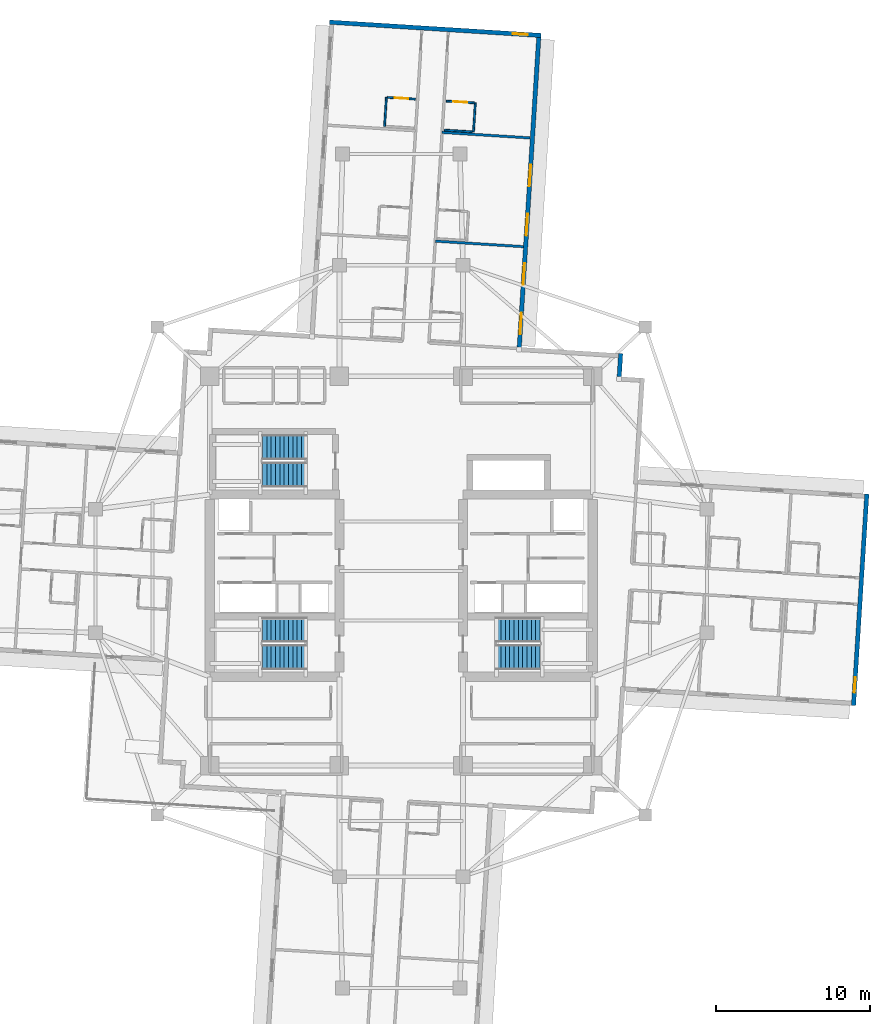
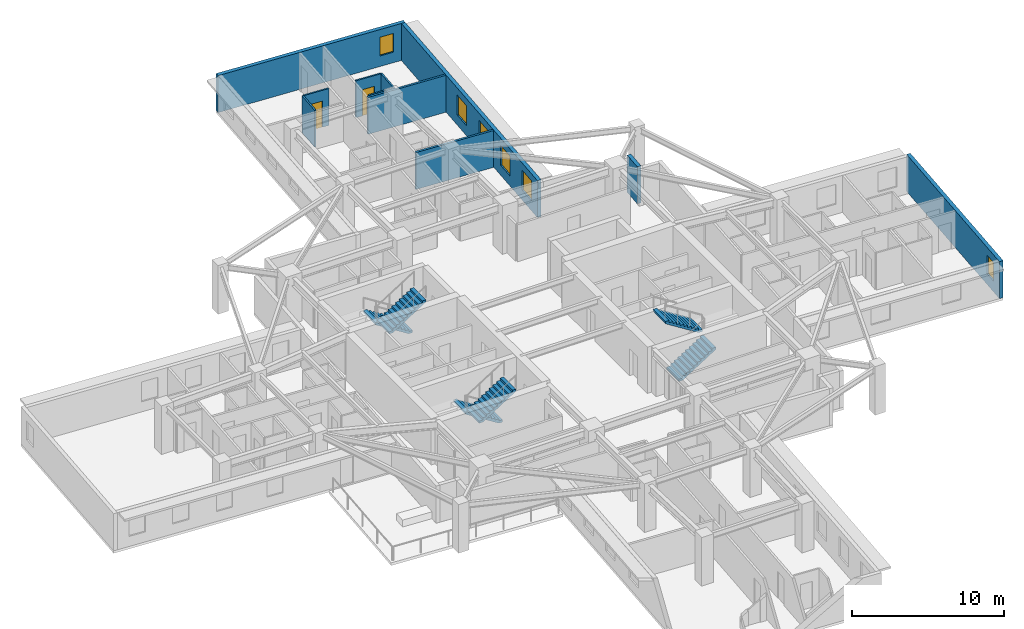
# One storey, part 9 of 14: 11 walls, 6 stair flights, 6 windows, 2 doors, 8 openings, 3 elements without a shape of their own.
"""IFC4 building model written with IfcOpenShell, lengths in metres."""

from ifc_helpers import new_model, si_unit, direction, frame, frame_2d, origin, place, context, subcontext, project, spatial, polyline, rectangle, outline, extrude, material, layer, layer_set, type_object, element, fill, aggregate, save


model = new_model("IFC4")

# Units and contexts
model_context = context("Model", 3, precision=1e-05, world=origin(), true_north=direction((0.0, 1.0)))
body_context = subcontext(model_context, "Body", "Model", "MODEL_VIEW")
ifc_project = project(units=[si_unit("LENGTHUNIT", "METRE"), si_unit("AREAUNIT", "SQUARE_METRE"), si_unit("VOLUMEUNIT", "CUBIC_METRE"), si_unit("PLANEANGLEUNIT", "RADIAN"), si_unit("MASSUNIT", "GRAM", prefix="KILO")], contexts=[model_context])

# Site, building, storey
site_placement = place(None, origin())
site = spatial("IfcSite", under=ifc_project, at=site_placement, CompositionType="ELEMENT")
building_placement = place(site_placement, origin())
building = spatial("IfcBuilding", under=site, at=building_placement, Name="Qingluan Cross Belvedere", CompositionType="ELEMENT")
storey_placement = place(building_placement, frame((0.0, 0.0, 160.5)))
storey = spatial("IfcBuildingStorey", under=building, at=storey_placement, Name="L40", CompositionType="ELEMENT", Elevation=160.5)

# Walls
ifc_material_1 = material(Name="Gypsum plasterboard on steel stud acoustic partition", Category="steel")
ifc_layer_1 = layer(ifc_material_1, 0.159912109375, Name="CorridorPartition_160")
ifc_layer_set_1 = layer_set([ifc_layer_1], Name="Gypsum plasterboard on steel stud acoustic partition")
wall_type_1 = type_object("IfcWallType", Name="CorridorPartition_160", PredefinedType="PARTITIONING", material=ifc_layer_set_1)
for number, where, z_axis, x_axis, name in (
    (1, (2.20556640625, 21.360595703125, 0.0), (0.0, 0.0, 1.0), (0.998026882386, -0.062788072387, 0.0), "Partition L40:N:d0_0"),
    (2, (2.648681640625, 28.401611328125, 0.0), (0.0, 0.0, 1.0), (0.998029559881, -0.062745498668, 0.0), "Partition L40:N:d0_1"),
):
    element("IfcWall", number, at=place(storey_placement, frame(where, z_axis=z_axis, x_axis=x_axis)), inside=storey, type_object=wall_type_1, Name=name, PredefinedType="PARTITIONING", context=body_context, shape_type="SweptSolid", body=[
        extrude(rectangle(XDim=5.7119140625, YDim=0.159912109375, at=frame_2d((2.85595703125, 0.0))), origin(), (0.0, 0.0, 1.0), 2.9599609375),
    ])

# Wall, opening, door
ifc_material_2 = material(Name="Moisture-resistant gypsum board lining")
ifc_layer_2 = layer(ifc_material_2, 0.1201171875, Name="EnsuiteWetPartition_120")
ifc_layer_set_2 = layer_set([ifc_layer_2], Name="Moisture-resistant gypsum board lining")
wall_type_2 = type_object("IfcWallType", Name="EnsuiteWetPartition_120", PredefinedType="PARTITIONING", material=ifc_layer_set_2)
wall_1_placement = place(storey_placement, frame((2.91650390625, 30.428955078125, 0.0), z_axis=(0.0, 0.0, 1.0), x_axis=(0.998027443946, -0.062779145668, 0.0)))
wall_1 = element("IfcWall", 3, at=wall_1_placement, inside=storey, type_object=wall_type_2, Name="Partition L40:N:bs0_2", PredefinedType="PARTITIONING", context=body_context, shape_type="SweptSolid", body=[
    extrude(rectangle(XDim=1.820068359375, YDim=0.1201171875, at=frame_2d((0.91015625, 0.0))), origin(), (0.0, 0.0, 1.0), 2.9599609375),
])
opening_1_placement = place(wall_1_placement, frame((0.469970703125, 0.0, 0.0)))
opening_1 = element("IfcOpeningElement", 4, at=opening_1_placement, cuts=wall_1, Name="Opening BD-09", PredefinedType="OPENING", context=body_context, shape_type="SweptSolid", body=[
    extrude(rectangle(XDim=0.8798828125, YDim=2.10009765625, at=frame_2d((0.43994140625, 1.050048828125))), frame((0.0, 0.070068359375, 0.0), z_axis=(0.0, -1.0, 0.0), x_axis=(1.0, 0.0, 0.0)), (0.0, 0.0, 1.0), 0.14013671875),
])
ifc_material_3 = material(Name="Moisture-sealed timber en-suite door", Category="wood")
door_type = type_object("IfcDoorType", Name="BathroomDoor_880", OperationType="NOTDEFINED", PredefinedType="DOOR", material=ifc_material_3)
door_1_placement = place(opening_1_placement, origin())
door_1 = element("IfcDoor", 5, at=door_1_placement, inside=storey, type_object=door_type, Name="Bathroom door 4013", OperationType="SINGLE_SWING_LEFT", OverallHeight=2.10009765625, OverallWidth=0.8798828125, PredefinedType="DOOR", context=body_context, shape_type="SweptSolid", body=[
    extrude(rectangle(XDim=0.8798828125, YDim=2.10009765625, at=frame_2d((0.43994140625, 1.050048828125))), frame((0.0, 0.02490234375, 0.0), z_axis=(0.0, -1.0, 0.0), x_axis=(1.0, 0.0, 0.0)), (0.0, 0.0, 1.0), 0.050048828125),
])
fill(opening_1, door_1)

# Walls
wall_2_placement = place(storey_placement, frame((2.79833984375, 28.552490234375, 0.0), z_axis=(0.0, 0.0, 1.0), x_axis=(0.998035839873, -0.062645529196, 0.0)))
element("IfcWall", 6, at=wall_2_placement, inside=storey, type_object=wall_type_2, Name="Partition L40:N:bw0_2", PredefinedType="PARTITIONING", context=body_context, shape_type="SweptSolid", body=[
    extrude(rectangle(XDim=1.820068359375, YDim=0.1201171875, at=frame_2d((0.91015625, 0.0))), origin(), (0.0, 0.0, 1.0), 2.9599609375),
])
wall_3_placement = place(storey_placement, frame((4.6796875, 28.434326171875, 0.0), z_axis=(0.0, 0.0, 1.0), x_axis=(0.062725942896, 0.998030789148, 0.0)))
element("IfcWall", 7, at=wall_3_placement, inside=storey, type_object=wall_type_2, Name="Partition L40:N:bn0_2", PredefinedType="PARTITIONING", context=body_context, shape_type="SweptSolid", body=[
    extrude(rectangle(XDim=1.8798828125, YDim=0.1201171875, at=frame_2d((0.93994140625, 0.0))), origin(), (0.0, 0.0, 1.0), 2.9599609375),
])

# Wall, opening, door
wall_4_placement = place(storey_placement, frame((-0.89599609375, 30.668701171875, 0.0), z_axis=(0.0, 0.0, 1.0), x_axis=(0.998027443946, -0.062779145668, 0.0)))
wall_4 = element("IfcWall", 8, at=wall_4_placement, inside=storey, type_object=wall_type_2, Name="Partition L40:N:bs1_2", PredefinedType="PARTITIONING", context=body_context, shape_type="SweptSolid", body=[
    extrude(rectangle(XDim=1.820068359375, YDim=0.1201171875, at=frame_2d((0.91015625, 0.0))), origin(), (0.0, 0.0, 1.0), 2.9599609375),
])
opening_2_placement = place(wall_4_placement, frame((0.469970703125, 0.0, 0.0)))
opening_2 = element("IfcOpeningElement", 9, at=opening_2_placement, cuts=wall_4, Name="Opening BD-09", PredefinedType="OPENING", context=body_context, shape_type="SweptSolid", body=[
    extrude(rectangle(XDim=0.8798828125, YDim=2.10009765625, at=frame_2d((0.43994140625, 1.050048828125))), frame((0.0, 0.070068359375, 0.0), z_axis=(0.0, -1.0, 0.0), x_axis=(1.0, 0.0, 0.0)), (0.0, 0.0, 1.0), 0.14013671875),
])
door_2_placement = place(opening_2_placement, origin())
door_2 = element("IfcDoor", 10, at=door_2_placement, inside=storey, type_object=door_type, Name="Bathroom door 4016", OperationType="SINGLE_SWING_LEFT", OverallHeight=2.10009765625, OverallWidth=0.8798828125, PredefinedType="DOOR", context=body_context, shape_type="SweptSolid", body=[
    extrude(rectangle(XDim=0.8798828125, YDim=2.10009765625, at=frame_2d((0.43994140625, 1.050048828125))), frame((0.0, 0.02490234375, 0.0), z_axis=(0.0, -1.0, 0.0), x_axis=(1.0, 0.0, 0.0)), (0.0, 0.0, 1.0), 0.050048828125),
])
fill(opening_2, door_2)

# Wall
wall_5_placement = place(storey_placement, frame((-1.0791015625, 28.796630859375, 0.0), z_axis=(0.0, 0.0, 1.0), x_axis=(0.062855297722, 0.998022650819, 0.0)))
element("IfcWall", 11, at=wall_5_placement, inside=storey, type_object=wall_type_2, Name="Partition L40:N:bc1_2", PredefinedType="PARTITIONING", context=body_context, shape_type="SweptSolid", body=[
    extrude(rectangle(XDim=1.8798828125, YDim=0.1201171875, at=frame_2d((0.93994140625, 0.0))), origin(), (0.0, 0.0, 1.0), 2.9599609375),
])

# Wall, opening, window
ifc_material_4 = material(Name="Precast concrete C45", Category="concrete")
ifc_layer_3 = layer(ifc_material_4, 0.280029296875, Name="PrecastFacadeWall_280")
ifc_layer_set_3 = layer_set([ifc_layer_3], Name="Precast concrete C45")
wall_type_3 = type_object("IfcWallType", Name="PrecastFacadeWall_280", PredefinedType="STANDARD", material=ifc_layer_set_3)
wall_6_placement = place(storey_placement, frame((29.29052734375, -8.71630859375, 0.0), z_axis=(0.0, 0.0, 1.0), x_axis=(0.062797041623, 0.998026318072, 0.0)))
wall_6 = element("IfcWall", 12, at=wall_6_placement, inside=storey, type_object=wall_type_3, Name="Arm tip precast facade wall L40-E", PredefinedType="STANDARD", context=body_context, shape_type="SweptSolid", body=[
    extrude(rectangle(XDim=13.719970703125, YDim=0.280029296875, at=frame_2d((6.85986328125, 0.0))), origin(), (0.0, 0.0, 1.0), 2.969970703125),
])
opening_3_placement = place(wall_6_placement, frame((0.85009765625, 0.0, 0.85009765625)))
opening_3 = element("IfcOpeningElement", 13, at=opening_3_placement, cuts=wall_6, Name="Opening W-03", PredefinedType="OPENING", context=body_context, shape_type="SweptSolid", body=[
    extrude(rectangle(XDim=1.0, YDim=1.5, at=frame_2d((0.5, 0.75))), frame((0.0, 0.14990234375, 0.0), z_axis=(0.0, -1.0, 0.0), x_axis=(1.0, 0.0, 0.0)), (0.0, 0.0, 1.0), 0.300048828125),
])
ifc_material_5 = material(Name="Thermally broken triple Low-E glass in aluminium frame", Category="aluminium")
window_type_1 = type_object("IfcWindowType", Name="TriApexWin_1000x1500", PartitioningType="SINGLE_PANEL", PredefinedType="WINDOW", material=ifc_material_5)
window_1_placement = place(opening_3_placement, origin())
window_1 = element("IfcWindow", 14, at=window_1_placement, inside=storey, type_object=window_type_1, Name="Arm tip triangular window L40-E", OverallHeight=1.5, OverallWidth=1.0, PartitioningType="SINGLE_PANEL", PredefinedType="WINDOW", context=body_context, shape_type="SweptSolid", body=[
    extrude(rectangle(XDim=1.0, YDim=1.5, at=frame_2d((0.5, 0.75))), frame((0.0, 0.030029296875, 0.0), z_axis=(0.0, -1.0, 0.0), x_axis=(1.0, 0.0, 0.0)), (0.0, 0.0, 1.0), 0.06005859375),
])
fill(opening_3, window_1)

# Wall, openings, windows
wall_7_placement = place(storey_placement, frame((7.644775390625, 14.488525390625, 0.0), z_axis=(0.0, 0.0, 1.0), x_axis=(0.06279645424, 0.99802635503, 0.0)))
wall_7 = element("IfcWall", 15, at=wall_7_placement, inside=storey, type_object=wall_type_3, Name="Facade wall L40-NA", PredefinedType="STANDARD", context=body_context, shape_type="SweptSolid", body=[
    extrude(rectangle(XDim=20.099853515625, YDim=0.280029296875, at=frame_2d((10.0498046875, 0.0))), origin(), (0.0, 0.0, 1.0), 2.969970703125),
])
opening_4_placement = place(wall_7_placement, frame((0.85009765625, 0.0, 0.800048828125)))
opening_4 = element("IfcOpeningElement", 16, at=opening_4_placement, cuts=wall_7, Name="Opening W-01", PredefinedType="OPENING", context=body_context, shape_type="SweptSolid", body=[
    extrude(rectangle(XDim=1.39990234375, YDim=1.60009765625, at=frame_2d((0.699951171875, 0.800048828125))), frame((0.0, 0.14990234375, 0.0), z_axis=(0.0, -1.0, 0.0), x_axis=(1.0, 0.0, 0.0)), (0.0, 0.0, 1.0), 0.300048828125),
])
opening_5_placement = place(wall_7_placement, frame((4.050048828125, 0.0, 0.800048828125)))
opening_5 = element("IfcOpeningElement", 17, at=opening_5_placement, cuts=wall_7, Name="Opening W-01", PredefinedType="OPENING", context=body_context, shape_type="SweptSolid", body=[
    extrude(rectangle(XDim=1.39990234375, YDim=1.60009765625, at=frame_2d((0.699951171875, 0.800048828125))), frame((0.0, 0.14990234375, 0.0), z_axis=(0.0, -1.0, 0.0), x_axis=(1.0, 0.0, 0.0)), (0.0, 0.0, 1.0), 0.300048828125),
])
opening_6_placement = place(wall_7_placement, frame((7.25, 0.0, 0.800048828125)))
opening_6 = element("IfcOpeningElement", 18, at=opening_6_placement, cuts=wall_7, Name="Opening W-01", PredefinedType="OPENING", context=body_context, shape_type="SweptSolid", body=[
    extrude(rectangle(XDim=1.39990234375, YDim=1.60009765625, at=frame_2d((0.699951171875, 0.800048828125))), frame((0.0, 0.14990234375, 0.0), z_axis=(0.0, -1.0, 0.0), x_axis=(1.0, 0.0, 0.0)), (0.0, 0.0, 1.0), 0.300048828125),
])
opening_7_placement = place(wall_7_placement, frame((10.449951171875, 0.0, 0.800048828125)))
opening_7 = element("IfcOpeningElement", 19, at=opening_7_placement, cuts=wall_7, Name="Opening W-01", PredefinedType="OPENING", context=body_context, shape_type="SweptSolid", body=[
    extrude(rectangle(XDim=1.39990234375, YDim=1.60009765625, at=frame_2d((0.699951171875, 0.800048828125))), frame((0.0, 0.14990234375, 0.0), z_axis=(0.0, -1.0, 0.0), x_axis=(1.0, 0.0, 0.0)), (0.0, 0.0, 1.0), 0.300048828125),
])
ifc_material_6 = material(Name="Thermally broken triple Low-E glass in aluminium frame", Category="aluminium")
window_type_2 = type_object("IfcWindowType", Name="TriRibbonWin_1400x1600", PartitioningType="SINGLE_PANEL", PredefinedType="WINDOW", material=ifc_material_6)
window_2_placement = place(opening_4_placement, origin())
window_2 = element("IfcWindow", 20, at=window_2_placement, inside=storey, type_object=window_type_2, Name="Ribbon window L40-NA-1", OverallHeight=1.60009765625, OverallWidth=1.39990234375, PartitioningType="SINGLE_PANEL", PredefinedType="WINDOW", context=body_context, shape_type="SweptSolid", body=[
    extrude(rectangle(XDim=1.39990234375, YDim=1.60009765625, at=frame_2d((0.699951171875, 0.800048828125))), frame((0.0, 0.030029296875, 0.0), z_axis=(0.0, -1.0, 0.0), x_axis=(1.0, 0.0, 0.0)), (0.0, 0.0, 1.0), 0.06005859375),
])
fill(opening_4, window_2)
window_3_placement = place(opening_5_placement, origin())
window_3 = element("IfcWindow", 21, at=window_3_placement, inside=storey, type_object=window_type_2, Name="Ribbon window L40-NA-2", OverallHeight=1.60009765625, OverallWidth=1.39990234375, PartitioningType="SINGLE_PANEL", PredefinedType="WINDOW", context=body_context, shape_type="SweptSolid", body=[
    extrude(rectangle(XDim=1.39990234375, YDim=1.60009765625, at=frame_2d((0.699951171875, 0.800048828125))), frame((0.0, 0.030029296875, 0.0), z_axis=(0.0, -1.0, 0.0), x_axis=(1.0, 0.0, 0.0)), (0.0, 0.0, 1.0), 0.06005859375),
])
fill(opening_5, window_3)
window_4_placement = place(opening_6_placement, origin())
window_4 = element("IfcWindow", 22, at=window_4_placement, inside=storey, type_object=window_type_2, Name="Ribbon window L40-NA-3", OverallHeight=1.60009765625, OverallWidth=1.39990234375, PartitioningType="SINGLE_PANEL", PredefinedType="WINDOW", context=body_context, shape_type="SweptSolid", body=[
    extrude(rectangle(XDim=1.39990234375, YDim=1.60009765625, at=frame_2d((0.699951171875, 0.800048828125))), frame((0.0, 0.030029296875, 0.0), z_axis=(0.0, -1.0, 0.0), x_axis=(1.0, 0.0, 0.0)), (0.0, 0.0, 1.0), 0.06005859375),
])
fill(opening_6, window_4)
window_5_placement = place(opening_7_placement, origin())
window_5 = element("IfcWindow", 23, at=window_5_placement, inside=storey, type_object=window_type_2, Name="Ribbon window L40-NA-4", OverallHeight=1.60009765625, OverallWidth=1.39990234375, PartitioningType="SINGLE_PANEL", PredefinedType="WINDOW", context=body_context, shape_type="SweptSolid", body=[
    extrude(rectangle(XDim=1.39990234375, YDim=1.60009765625, at=frame_2d((0.699951171875, 0.800048828125))), frame((0.0, 0.030029296875, 0.0), z_axis=(0.0, -1.0, 0.0), x_axis=(1.0, 0.0, 0.0)), (0.0, 0.0, 1.0), 0.06005859375),
])
fill(opening_7, window_5)

# Wall, opening, window
wall_8_placement = place(storey_placement, frame((9.055419921875, 34.6796875, 0.0), z_axis=(0.0, 0.0, 1.0), x_axis=(-0.998026318072, 0.062797041623, 0.0)))
wall_8 = element("IfcWall", 24, at=wall_8_placement, inside=storey, type_object=wall_type_3, Name="Arm tip precast facade wall L40-N", PredefinedType="STANDARD", context=body_context, shape_type="SweptSolid", body=[
    extrude(rectangle(XDim=13.719970703125, YDim=0.280029296875, at=frame_2d((6.85986328125, 0.0))), origin(), (0.0, 0.0, 1.0), 2.969970703125),
])
opening_8_placement = place(wall_8_placement, frame((0.85009765625, 0.0, 0.85009765625)))
opening_8 = element("IfcOpeningElement", 25, at=opening_8_placement, cuts=wall_8, Name="Opening W-03", PredefinedType="OPENING", context=body_context, shape_type="SweptSolid", body=[
    extrude(rectangle(XDim=1.0, YDim=1.5, at=frame_2d((0.5, 0.75))), frame((0.0, 0.14990234375, 0.0), z_axis=(0.0, -1.0, 0.0), x_axis=(1.0, 0.0, 0.0)), (0.0, 0.0, 1.0), 0.300048828125),
])
window_6_placement = place(opening_8_placement, origin())
window_6 = element("IfcWindow", 26, at=window_6_placement, inside=storey, type_object=window_type_1, Name="Arm tip triangular window L40-N", OverallHeight=1.5, OverallWidth=1.0, PartitioningType="SINGLE_PANEL", PredefinedType="WINDOW", context=body_context, shape_type="SweptSolid", body=[
    extrude(rectangle(XDim=1.0, YDim=1.5, at=frame_2d((0.5, 0.75))), frame((0.0, 0.030029296875, 0.0), z_axis=(0.0, -1.0, 0.0), x_axis=(1.0, 0.0, 0.0)), (0.0, 0.0, 1.0), 0.06005859375),
])
fill(opening_8, window_6)

# Wall
wall_9_placement = place(storey_placement, frame((14.11767578125, 12.578369140625, 0.0), z_axis=(0.0, 0.0, 1.0), x_axis=(0.062824119533, 0.998024613927, 0.0)))
element("IfcWall", 27, at=wall_9_placement, inside=storey, type_object=wall_type_3, Name="Corner wall L40-NE3", PredefinedType="STANDARD", context=body_context, shape_type="SweptSolid", body=[
    extrude(rectangle(XDim=1.5, YDim=0.280029296875, at=frame_2d((0.75, 0.0))), origin(), (0.0, 0.0, 1.0), 2.969970703125),
])

# Stair, stair flights
ifc_material_7 = material(Name="Concrete C40", Category="concrete")
stair_type = type_object("IfcStairType", Name="CoreDoglegStair_1620", PredefinedType="HALF_TURN_STAIR", material=ifc_material_7)
stair_1_placement = place(storey_placement, origin())
stair_1 = element("IfcStair", 28, at=stair_1_placement, inside=storey, type_object=stair_type, Name="L40 ST1", PredefinedType="HALF_TURN_STAIR")
ifc_material_8 = material(Name="Concrete C40", Category="concrete")
ifc_layer_4 = layer(ifc_material_8, 0.179931640625, Name="StairFlight_RC180")
ifc_layer_set_4 = layer_set([ifc_layer_4], Name="Concrete C40")
stair_flight_type = type_object("IfcStairFlightType", Name="StairFlight_RC180", PredefinedType="STRAIGHT", material=ifc_layer_set_4)
stair_flight_1_placement = place(storey_placement, frame((-6.179931640625, -3.81005859375, 0.0), z_axis=(0.0, 0.0, 1.0), x_axis=(-1.0, 0.0, 0.0)))
stair_flight_1 = element("IfcStairFlight", 29, at=stair_flight_1_placement, type_object=stair_flight_type, Name="ST1 flight 1", NumberOfRisers=11, NumberOfTreads=10, PredefinedType="STRAIGHT", RiserHeight=0.177272727, TreadLength=0.28, context=body_context, shape_type="SweptSolid", body=[
    extrude(outline(polyline([(0.0, 0.0), (0.0, 0.17724609375), (0.280029296875, 0.17724609375), (0.280029296875, 0.3544921875), (0.56005859375, 0.3544921875), (0.56005859375, 0.53173828125), (0.840087890625, 0.53173828125), (0.840087890625, 0.708984375), (1.1201171875, 0.708984375), (1.1201171875, 0.886474609375), (1.39990234375, 0.886474609375), (1.39990234375, 1.063720703125), (1.679931640625, 1.063720703125), (1.679931640625, 1.240966796875), (1.9599609375, 1.240966796875), (1.9599609375, 1.418212890625), (2.239990234375, 1.418212890625), (2.239990234375, 1.595458984375), (2.52001953125, 1.595458984375), (2.52001953125, 1.772705078125), (2.800048828125, 1.772705078125), (2.800048828125, 1.949951171875), (2.800048828125, 1.59521484375), (0.2802734375, 0.0), (0.0, 0.0)])), frame((0.0, 0.81005859375, 0.0), z_axis=(0.0, -1.0, 0.0), x_axis=(1.0, 0.0, 0.0)), (0.0, 0.0, 1.0), 1.6201171875),
])
stair_flight_2_placement = place(storey_placement, frame((-8.97998046875, -5.590087890625, 1.949951171875), z_axis=(0.0, 0.0, 1.0), x_axis=(1.0, 0.0, 0.0)))
stair_flight_2 = element("IfcStairFlight", 30, at=stair_flight_2_placement, type_object=stair_flight_type, Name="ST1 flight 2", NumberOfRisers=11, NumberOfTreads=10, PredefinedType="STRAIGHT", RiserHeight=0.177272727, TreadLength=0.28, context=body_context, shape_type="SweptSolid", body=[
    extrude(outline(polyline([(0.0, 0.0), (0.0, 0.17724609375), (0.280029296875, 0.17724609375), (0.280029296875, 0.3544921875), (0.56005859375, 0.3544921875), (0.56005859375, 0.53173828125), (0.840087890625, 0.53173828125), (0.840087890625, 0.708984375), (1.1201171875, 0.708984375), (1.1201171875, 0.886474609375), (1.39990234375, 0.886474609375), (1.39990234375, 1.063720703125), (1.679931640625, 1.063720703125), (1.679931640625, 1.240966796875), (1.9599609375, 1.240966796875), (1.9599609375, 1.418212890625), (2.239990234375, 1.418212890625), (2.239990234375, 1.595458984375), (2.52001953125, 1.595458984375), (2.52001953125, 1.772705078125), (2.800048828125, 1.772705078125), (2.800048828125, 1.949951171875), (2.800048828125, 1.59521484375), (0.2802734375, 0.0), (0.0, 0.0)])), frame((0.0, 0.81005859375, 0.0), z_axis=(0.0, -1.0, 0.0), x_axis=(1.0, 0.0, 0.0)), (0.0, 0.0, 1.0), 1.6201171875),
])
aggregate(stair_1, [stair_flight_1, stair_flight_2])

stair_2_placement = place(storey_placement, origin())
stair_2 = element("IfcStair", 31, at=stair_2_placement, inside=storey, type_object=stair_type, Name="L40 ST2", PredefinedType="HALF_TURN_STAIR")
stair_flight_3_placement = place(storey_placement, frame((6.179931640625, -5.590087890625, 0.0), z_axis=(0.0, 0.0, 1.0), x_axis=(1.0, 0.0, 0.0)))
stair_flight_3 = element("IfcStairFlight", 32, at=stair_flight_3_placement, type_object=stair_flight_type, Name="ST2 flight 1", NumberOfRisers=11, NumberOfTreads=10, PredefinedType="STRAIGHT", RiserHeight=0.177272727, TreadLength=0.28, context=body_context, shape_type="SweptSolid", body=[
    extrude(outline(polyline([(0.0, 0.0), (0.0, 0.17724609375), (0.280029296875, 0.17724609375), (0.280029296875, 0.3544921875), (0.56005859375, 0.3544921875), (0.56005859375, 0.53173828125), (0.840087890625, 0.53173828125), (0.840087890625, 0.708984375), (1.1201171875, 0.708984375), (1.1201171875, 0.886474609375), (1.39990234375, 0.886474609375), (1.39990234375, 1.063720703125), (1.679931640625, 1.063720703125), (1.679931640625, 1.240966796875), (1.9599609375, 1.240966796875), (1.9599609375, 1.418212890625), (2.239990234375, 1.418212890625), (2.239990234375, 1.595458984375), (2.52001953125, 1.595458984375), (2.52001953125, 1.772705078125), (2.800048828125, 1.772705078125), (2.800048828125, 1.949951171875), (2.800048828125, 1.59521484375), (0.2802734375, 0.0), (0.0, 0.0)])), frame((0.0, 0.81005859375, 0.0), z_axis=(0.0, -1.0, 0.0), x_axis=(1.0, 0.0, 0.0)), (0.0, 0.0, 1.0), 1.6201171875),
])
stair_flight_4_placement = place(storey_placement, frame((8.97998046875, -3.81005859375, 1.949951171875), z_axis=(0.0, 0.0, 1.0), x_axis=(-1.0, 0.0, 0.0)))
stair_flight_4 = element("IfcStairFlight", 33, at=stair_flight_4_placement, type_object=stair_flight_type, Name="ST2 flight 2", NumberOfRisers=11, NumberOfTreads=10, PredefinedType="STRAIGHT", RiserHeight=0.177272727, TreadLength=0.28, context=body_context, shape_type="SweptSolid", body=[
    extrude(outline(polyline([(0.0, 0.0), (0.0, 0.17724609375), (0.280029296875, 0.17724609375), (0.280029296875, 0.3544921875), (0.56005859375, 0.3544921875), (0.56005859375, 0.53173828125), (0.840087890625, 0.53173828125), (0.840087890625, 0.708984375), (1.1201171875, 0.708984375), (1.1201171875, 0.886474609375), (1.39990234375, 0.886474609375), (1.39990234375, 1.063720703125), (1.679931640625, 1.063720703125), (1.679931640625, 1.240966796875), (1.9599609375, 1.240966796875), (1.9599609375, 1.418212890625), (2.239990234375, 1.418212890625), (2.239990234375, 1.595458984375), (2.52001953125, 1.595458984375), (2.52001953125, 1.772705078125), (2.800048828125, 1.772705078125), (2.800048828125, 1.949951171875), (2.800048828125, 1.59521484375), (0.2802734375, 0.0), (0.0, 0.0)])), frame((0.0, 0.81005859375, 0.0), z_axis=(0.0, -1.0, 0.0), x_axis=(1.0, 0.0, 0.0)), (0.0, 0.0, 1.0), 1.6201171875),
])
aggregate(stair_2, [stair_flight_3, stair_flight_4])

stair_3_placement = place(storey_placement, origin())
stair_3 = element("IfcStair", 34, at=stair_3_placement, inside=storey, type_object=stair_type, Name="L40 ST3", PredefinedType="HALF_TURN_STAIR")
stair_flight_5_placement = place(storey_placement, frame((-6.179931640625, 8.010009765625, 0.0), z_axis=(0.0, 0.0, 1.0), x_axis=(-1.0, 0.0, 0.0)))
stair_flight_5 = element("IfcStairFlight", 35, at=stair_flight_5_placement, type_object=stair_flight_type, Name="ST3 flight 1", NumberOfRisers=11, NumberOfTreads=10, PredefinedType="STRAIGHT", RiserHeight=0.177272727, TreadLength=0.28, context=body_context, shape_type="SweptSolid", body=[
    extrude(outline(polyline([(0.0, 0.0), (0.0, 0.17724609375), (0.280029296875, 0.17724609375), (0.280029296875, 0.3544921875), (0.56005859375, 0.3544921875), (0.56005859375, 0.53173828125), (0.840087890625, 0.53173828125), (0.840087890625, 0.708984375), (1.1201171875, 0.708984375), (1.1201171875, 0.886474609375), (1.39990234375, 0.886474609375), (1.39990234375, 1.063720703125), (1.679931640625, 1.063720703125), (1.679931640625, 1.240966796875), (1.9599609375, 1.240966796875), (1.9599609375, 1.418212890625), (2.239990234375, 1.418212890625), (2.239990234375, 1.595458984375), (2.52001953125, 1.595458984375), (2.52001953125, 1.772705078125), (2.800048828125, 1.772705078125), (2.800048828125, 1.949951171875), (2.800048828125, 1.59521484375), (0.2802734375, 0.0), (0.0, 0.0)])), frame((0.0, 0.81005859375, 0.0), z_axis=(0.0, -1.0, 0.0), x_axis=(1.0, 0.0, 0.0)), (0.0, 0.0, 1.0), 1.6201171875),
])
stair_flight_6_placement = place(storey_placement, frame((-8.97998046875, 6.22998046875, 1.949951171875), z_axis=(0.0, 0.0, 1.0), x_axis=(1.0, 0.0, 0.0)))
stair_flight_6 = element("IfcStairFlight", 36, at=stair_flight_6_placement, type_object=stair_flight_type, Name="ST3 flight 2", NumberOfRisers=11, NumberOfTreads=10, PredefinedType="STRAIGHT", RiserHeight=0.177272727, TreadLength=0.28, context=body_context, shape_type="SweptSolid", body=[
    extrude(outline(polyline([(0.0, 0.0), (0.0, 0.17724609375), (0.280029296875, 0.17724609375), (0.280029296875, 0.3544921875), (0.56005859375, 0.3544921875), (0.56005859375, 0.53173828125), (0.840087890625, 0.53173828125), (0.840087890625, 0.708984375), (1.1201171875, 0.708984375), (1.1201171875, 0.886474609375), (1.39990234375, 0.886474609375), (1.39990234375, 1.063720703125), (1.679931640625, 1.063720703125), (1.679931640625, 1.240966796875), (1.9599609375, 1.240966796875), (1.9599609375, 1.418212890625), (2.239990234375, 1.418212890625), (2.239990234375, 1.595458984375), (2.52001953125, 1.595458984375), (2.52001953125, 1.772705078125), (2.800048828125, 1.772705078125), (2.800048828125, 1.949951171875), (2.800048828125, 1.59521484375), (0.2802734375, 0.0), (0.0, 0.0)])), frame((0.0, 0.81005859375, 0.0), z_axis=(0.0, -1.0, 0.0), x_axis=(1.0, 0.0, 0.0)), (0.0, 0.0, 1.0), 1.6201171875),
])
aggregate(stair_3, [stair_flight_5, stair_flight_6])

save(model, "model.ifc")
